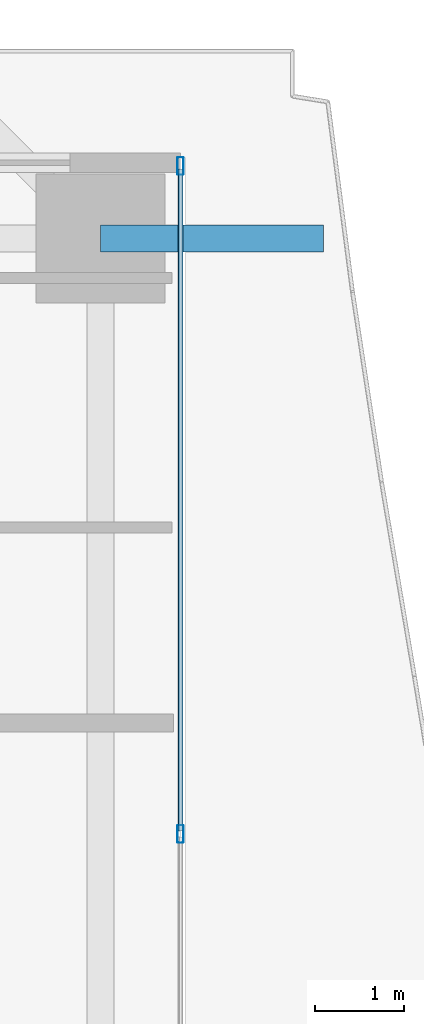
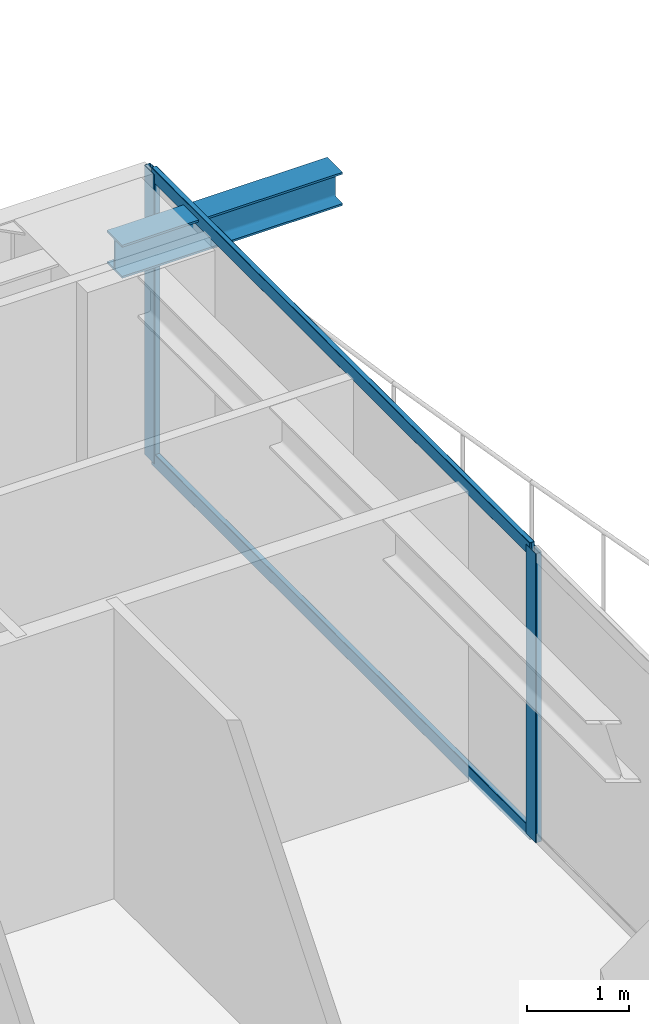
# One storey, part 23 of 37: 4 members, 1 beam, 1 element without a shape of its own.
"""IFC4 building model written with IfcOpenShell, lengths in metres."""

from ifc_helpers import new_model, si_unit, direction, frame, origin, origin_2d, place, context, subcontext, project, spatial, hollow_rectangle, i_section, extrude, source, transform, mapped, material, layer, layer_set, material_profile, profile_set, type_object, element, aggregate, save


model = new_model("IFC4")

# Units and contexts
model_context = context("Model", 3, precision=1e-05, world=origin(), true_north=direction((0.0, 1.0)))
body_context = subcontext(model_context, "Body", "Model", "MODEL_VIEW")
ifc_project = project(units=[si_unit("LENGTHUNIT", "METRE"), si_unit("AREAUNIT", "SQUARE_METRE"), si_unit("VOLUMEUNIT", "CUBIC_METRE"), si_unit("PLANEANGLEUNIT", "RADIAN"), si_unit("MASSUNIT", "GRAM", prefix="KILO")], contexts=[model_context])

# Site, building, storey
site_placement = place(None, origin())
site = spatial("IfcSite", under=ifc_project, at=site_placement, CompositionType="ELEMENT")
building_placement = place(site_placement, origin())
building = spatial("IfcBuilding", under=site, at=building_placement, Name="Serunith Strait Residences", CompositionType="ELEMENT")
storey_placement = place(building_placement, frame((0.0, 0.0, 26.699951171875)))
storey = spatial("IfcBuildingStorey", under=building, at=storey_placement, Name="L05", CompositionType="ELEMENT", Elevation=26.699951171875)

# Beam
ifc_material_1 = material(Name="Steel S355J2", Category="steel")
ifc_material_profile_1 = material_profile(ifc_material_1, i_section(OverallWidth=0.300048828125, OverallDepth=0.39990234375, WebThickness=0.013427734375, FlangeThickness=0.02392578125, FilletRadius=0.027099609375, at=origin_2d()), Name="HEB 400")
ifc_profile_set_1 = profile_set([ifc_material_profile_1], Name="Steel S355J2")
beam_type = type_object("IfcBeamType", Name="BM-HEB400", PredefinedType="BEAM", material=ifc_profile_set_1)
shared_shape_1 = source(origin(), body_context, "Body", "SweptSolid", [
    extrude(i_section(OverallWidth=0.300048828125, OverallDepth=0.39990234375, WebThickness=0.013427734375, FlangeThickness=0.02392578125, FilletRadius=0.027099609375, at=origin_2d()), origin(), (0.0, 0.0, 1.0), 2.5078125),
])
beam_placement = place(storey_placement, frame((57.89990234375, 40.949951171875, 3.257080078125), z_axis=(1.0, 0.0, 0.0), x_axis=(0.0, 1.0, 0.0)))
element("IfcBeam", 1, at=beam_placement, inside=storey, type_object=beam_type, Name="L06 Cantilevered Balcony Rib TC-E4", PredefinedType="BEAM", context=body_context, shape_type="MappedRepresentation", body=[
    mapped(shared_shape_1, transform((0.0, 0.0, 0.0), scale=1.0)),
])

# Curtain wall, members
ifc_material_2 = material(Name="Pale-Champagne Anodised Aluminium", Category="aluminium")
ifc_layer = layer(ifc_material_2, 0.199951171875, Name="Pale-Champagne Anodised Aluminium")
ifc_layer_set = layer_set([ifc_layer], Name="Pale-Champagne Anodised Aluminium")
curtain_wall_type = type_object("IfcCurtainWallType", Name="CW-SYS1", PredefinedType="NOTDEFINED", material=ifc_layer_set)
curtain_wall_placement = place(storey_placement, origin())
curtain_wall = element("IfcCurtainWall", 2, at=curtain_wall_placement, inside=storey, type_object=curtain_wall_type, Name="L05 E Unitised Fritted Curtain Wall", PredefinedType="NOTDEFINED")
ifc_material_profile_2 = material_profile(ifc_material_2, hollow_rectangle(XDim=0.070068359375, YDim=0.199951171875, WallThickness=0.00390625, InnerFilletRadius=0.006103515625, OuterFilletRadius=0.010009765625, at=origin_2d()), Name="ALU 200x70x4")
ifc_profile_set_2 = profile_set([ifc_material_profile_2], Name="Pale-Champagne Anodised Aluminium")
member_type_1 = type_object("IfcMemberType", Name="CW-SYS1-MULL", PredefinedType="MULLION", material=ifc_profile_set_2)
shared_shape_2 = source(origin(), body_context, "Body", "SweptSolid", [
    extrude(hollow_rectangle(XDim=0.070068359375, YDim=0.199951171875, WallThickness=0.00390625, InnerFilletRadius=0.006103515625, OuterFilletRadius=0.010009765625, at=origin_2d()), origin(), (0.0, 0.0, 1.0), 3.47509765625),
])
member_1_placement = place(storey_placement, frame((58.800048828125, 34.25, 0.0), z_axis=(0.0, 0.0, 1.0), x_axis=(-1.0, 0.0, 0.0)))
member_1 = element("IfcMember", 3, at=member_1_placement, type_object=member_type_1, Name="CW-1 mullion 2", PredefinedType="MULLION", context=body_context, shape_type="MappedRepresentation", body=[
    mapped(shared_shape_2, transform((0.0, 0.0, 0.0), scale=1.0)),
])
member_2_placement = place(storey_placement, frame((58.800048828125, 41.764892578125, 0.0), z_axis=(0.0, 0.0, 1.0), x_axis=(-1.0, 0.0, 0.0)))
member_2 = element("IfcMember", 4, at=member_2_placement, type_object=member_type_1, Name="CW-1 mullion 3", PredefinedType="MULLION", context=body_context, shape_type="MappedRepresentation", body=[
    mapped(shared_shape_2, transform((0.0, 0.0, 0.0), scale=1.0)),
])
ifc_material_profile_3 = material_profile(ifc_material_2, hollow_rectangle(XDim=0.06005859375, YDim=0.159912109375, WallThickness=0.00341796875, InnerFilletRadius=0.00537109375, OuterFilletRadius=0.0087890625, at=origin_2d()), Name="ALU 160x60x3.5")
ifc_profile_set_3 = profile_set([ifc_material_profile_3], Name="Pale-Champagne Anodised Aluminium")
member_type_2 = type_object("IfcMemberType", Name="CW-SYS1-TRAN", PredefinedType="USERDEFINED", material=ifc_profile_set_3)
shared_shape_3 = source(origin(), body_context, "Body", "SweptSolid", [
    extrude(hollow_rectangle(XDim=0.06005859375, YDim=0.159912109375, WallThickness=0.00341796875, InnerFilletRadius=0.00537109375, OuterFilletRadius=0.0087890625, at=origin_2d()), origin(), (0.0, 0.0, 1.0), 7.445068359375),
])
member_3_placement = place(storey_placement, frame((58.800048828125, 34.284912109375, 0.030029296875), z_axis=(0.0, 1.0, 0.0), x_axis=(-1.0, 0.0, 0.0)))
member_3 = element("IfcMember", 5, at=member_3_placement, type_object=member_type_2, Name="CW-1 transom 2.1", ObjectType="TRANSOM", PredefinedType="USERDEFINED", context=body_context, shape_type="MappedRepresentation", body=[
    mapped(shared_shape_3, transform((0.0, 0.0, 0.0), scale=1.0)),
])
member_4_placement = place(storey_placement, frame((58.800048828125, 34.284912109375, 3.445068359375), z_axis=(0.0, 1.0, 0.0), x_axis=(-1.0, 0.0, 0.0)))
member_4 = element("IfcMember", 6, at=member_4_placement, type_object=member_type_2, Name="CW-1 transom 2.2", ObjectType="TRANSOM", PredefinedType="USERDEFINED", context=body_context, shape_type="MappedRepresentation", body=[
    mapped(shared_shape_3, transform((0.0, 0.0, 0.0), scale=1.0)),
])
aggregate(curtain_wall, [member_1, member_2, member_3, member_4])

save(model, "model.ifc")
